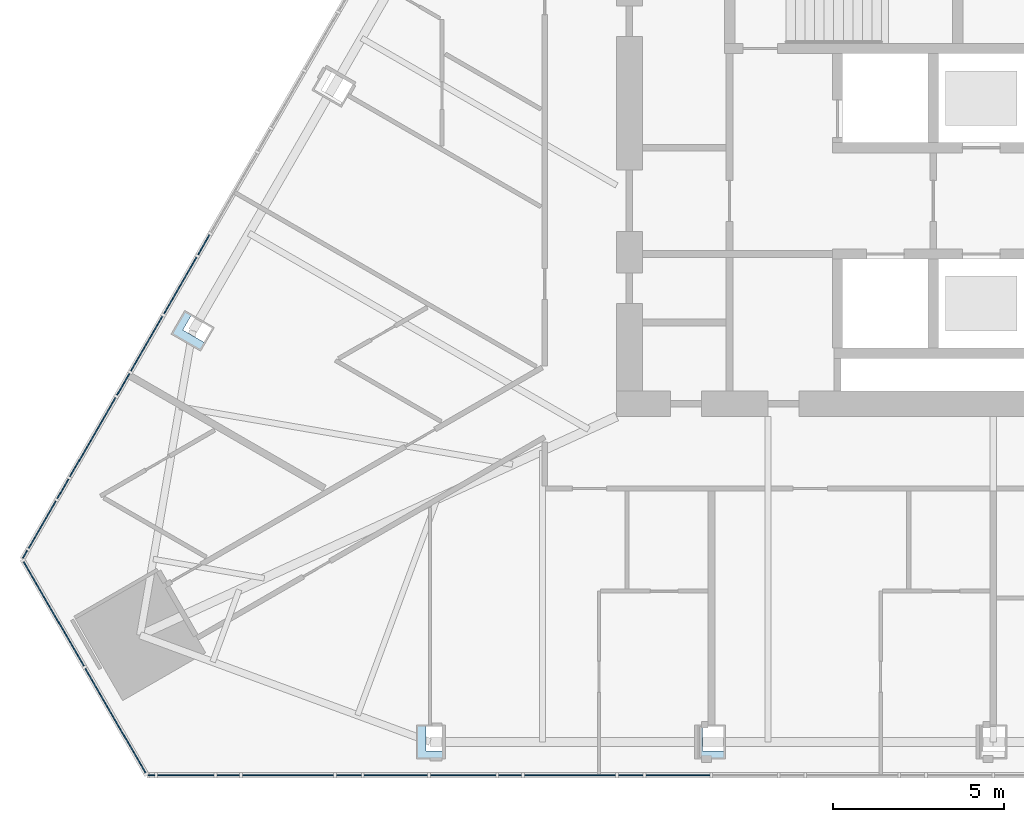
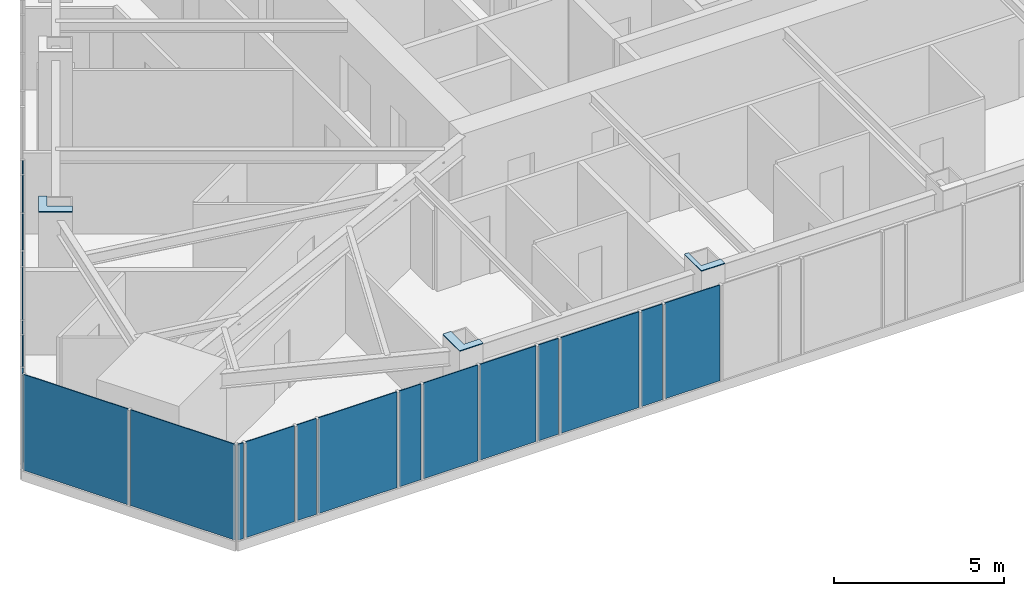
# One storey, part 12 of 24: 24 plates, 3 elements without a shape of their own.
"""IFC4 building model written with IfcOpenShell, lengths in metres."""

import ifcopenshell
import ifcopenshell.guid

model = None  # the IFC model being written
_history = None  # IfcOwnerHistory: only IFC2X3 demands one
_inside = {}  # id of a spatial element -> (the spatial element, [elements in it])
_under = {}  # id of a project, library or spatial element -> (it, [spatial elements below it])
_declared = {}  # id of a project -> (the project, [libraries it declares])
_typed = {}  # id of a type object -> (the type object, [elements of that type])
_made_of = {}  # id of a material, layer set ... -> (it, [elements and type objects made of it])


def new_model(schema):
    """Start an empty IFC model of exactly this schema.

    Asked for "IFC4X3", IfcOpenShell would pick the latest addendum, in which some entities
    have other attributes; the version numbers below select the first issue.
    IFC2X3 requires an IfcOwnerHistory on every rooted entity: one is made here for all.
    """
    global model, _history
    if schema == "IFC4X3":
        model = ifcopenshell.file(schema_version=(4, 3, 0, 0))
    else:
        model = ifcopenshell.file(schema=schema)
    _inside.clear()
    _under.clear()
    _declared.clear()
    _typed.clear()
    _made_of.clear()
    _history = None
    if model.schema == "IFC2X3":
        org = make("IfcOrganization", Name="unknown")
        user = make(
            "IfcPersonAndOrganization",
            ThePerson=make("IfcPerson", FamilyName="unknown"),
            TheOrganization=org,
        )
        app = make(
            "IfcApplication",
            ApplicationDeveloper=org,
            Version="unknown",
            ApplicationFullName="unknown",
            ApplicationIdentifier="unknown",
        )
        _history = make(
            "IfcOwnerHistory",
            OwningUser=user,
            OwningApplication=app,
            ChangeAction="ADDED",
            CreationDate=0,
        )
    return model


def make(cls, **values):
    """One entity of the class cls with the attributes given. An attribute that is None is left unset."""
    return model.create_entity(
        cls, **{name: value for name, value in values.items() if value is not None}
    )


def rooted(cls, **values):
    """An entity with a GlobalId (a new one), such as an element, a storey or a relation."""
    return make(cls, GlobalId=ifcopenshell.guid.new(), OwnerHistory=_history, **values)


def si_unit(unit_type, name, prefix=None):
    """IfcSIUnit, for example si_unit("LENGTHUNIT", "METRE", prefix="MILLI")."""
    return make("IfcSIUnit", UnitType=unit_type, Prefix=prefix, Name=name)


def assignment(units):
    """IfcUnitAssignment: the units of a project."""
    return None if units is None else make("IfcUnitAssignment", Units=units)


def point(xyz):
    """IfcCartesianPoint."""
    return None if xyz is None else make("IfcCartesianPoint", Coordinates=xyz)


def direction(xyz):
    """IfcDirection."""
    return None if xyz is None else make("IfcDirection", DirectionRatios=xyz)


def frame(location, z_axis=None, x_axis=None):
    """IfcAxis2Placement3D, a coordinate frame: its origin and axes. An axis left out is left unset."""
    return make(
        "IfcAxis2Placement3D",
        Location=point(location),
        Axis=direction(z_axis),
        RefDirection=direction(x_axis),
    )


def origin():
    """The frame at (0, 0, 0) with its axes left unset."""
    return frame((0.0, 0.0, 0.0))


def place(relative_to, where):
    """IfcLocalPlacement: puts the frame where relative to a parent placement (None: the world)."""
    return make(
        "IfcLocalPlacement", PlacementRelTo=relative_to, RelativePlacement=where
    )


def context(
    kind, dimensions, precision=None, world=None, true_north=None, identifier=None
):
    """IfcGeometricRepresentationContext, for example the 3D "Model" context."""
    return make(
        "IfcGeometricRepresentationContext",
        ContextIdentifier=identifier,
        ContextType=kind,
        CoordinateSpaceDimension=dimensions,
        Precision=precision,
        WorldCoordinateSystem=world,
        TrueNorth=true_north,
    )


def subcontext(parent, identifier, kind, view, scale=None):
    """IfcGeometricRepresentationSubContext, for example "Body" below "Model"."""
    return make(
        "IfcGeometricRepresentationSubContext",
        ContextIdentifier=identifier,
        ContextType=kind,
        ParentContext=parent,
        TargetScale=scale,
        TargetView=view,
    )


def project(units=None, contexts=None):
    """IfcProject with its units and contexts."""
    return rooted(
        "IfcProject",
        Name="project",
        RepresentationContexts=contexts,
        UnitsInContext=assignment(units),
    )


def spatial(cls, under=None, at=None, **own):
    """A site, building, storey or space (cls), placed at a placement, below another one or the project."""
    s = rooted(cls, ObjectPlacement=at, **own)
    if under is not None:
        _under.setdefault(under.id(), (under, []))[1].append(s)
    return s


def polyline(points):
    """IfcPolyline through the points."""
    return make("IfcPolyline", Points=[point(p) for p in points])


def outline(outer, holes=None, kind="AREA"):
    """IfcArbitraryClosedProfileDef: a profile drawn as a closed curve; with holes, ...WithVoids."""
    if holes is None:
        return make("IfcArbitraryClosedProfileDef", ProfileType=kind, OuterCurve=outer)
    return make(
        "IfcArbitraryProfileDefWithVoids",
        ProfileType=kind,
        OuterCurve=outer,
        InnerCurves=holes,
    )


def extrude(swept, where, along, depth):
    """IfcExtrudedAreaSolid: the profile swept, set in the frame where, extruded along a direction by depth."""
    return make(
        "IfcExtrudedAreaSolid",
        SweptArea=swept,
        Position=where,
        ExtrudedDirection=direction(along),
        Depth=depth,
    )


def shape(context_of_items, identifier, shape_type, items):
    """IfcShapeRepresentation: the items that make up one representation, for example the "Body"."""
    return make(
        "IfcShapeRepresentation",
        ContextOfItems=context_of_items,
        RepresentationIdentifier=identifier,
        RepresentationType=shape_type,
        Items=items,
    )


def material(Name=None, Category=None):
    """IfcMaterial."""
    return make("IfcMaterial", Name=Name, Category=Category)


def layer(
    of_material, thickness, ventilated=None, Name=None, Category=None, Priority=None
):
    """IfcMaterialLayer: one layer of a wall or slab, of a material (None: an air gap)."""
    return make(
        "IfcMaterialLayer",
        Material=of_material,
        LayerThickness=thickness,
        IsVentilated=ventilated,
        Name=Name,
        Category=Category,
        Priority=Priority,
    )


def layer_set(layers, Name=None):
    """IfcMaterialLayerSet."""
    return make("IfcMaterialLayerSet", MaterialLayers=layers, LayerSetName=Name)


def made_of(thing, what):
    """Note that an element or type object is made of a material, layer set ...; save() writes the relation."""
    if what is not None:
        _made_of.setdefault(what.id(), (what, []))[1].append(thing)
    return thing


def type_object(cls, material=None, **own):
    """A type object (cls), such as IfcWallType, which elements share."""
    return made_of(rooted(cls, **own), material)


def element(
    cls,
    number,
    at=None,
    inside=None,
    cuts=None,
    type_object=None,
    material=None,
    context=None,
    identifier="Body",
    shape_type=None,
    held_by="IfcProductDefinitionShape",
    body=None,
    shapes=None,
    **own,
):
    """One element of the class cls, such as IfcWall. Its Tag is "e" and its number.

    at: its placement. inside: the storey or other place that contains it. cuts: it is an
    opening in that element (IfcRelVoidsElement). A single representation is given by context,
    identifier, shape_type and body (its items); several are given by shapes. held_by: the class
    of the entity that holds the representations. save() writes the other relations.
    """
    e = rooted(cls, Tag="e%d" % number, ObjectPlacement=at, **own)
    if body is not None:
        shapes = [shape(context, identifier, shape_type, body)]
    if shapes is not None:
        e.Representation = make(held_by, Representations=shapes)
    if inside is not None:
        _inside.setdefault(inside.id(), (inside, []))[1].append(e)
    if cuts is not None:
        rooted(
            "IfcRelVoidsElement", RelatingBuildingElement=cuts, RelatedOpeningElement=e
        )
    if type_object is not None:
        _typed.setdefault(type_object.id(), (type_object, []))[1].append(e)
    return made_of(e, material)


def aggregate(whole, parts):
    """IfcRelAggregates: a whole, such as a stair, and the parts it consists of."""
    return rooted("IfcRelAggregates", RelatingObject=whole, RelatedObjects=parts)


def save(model, path):
    """Write the relations noted so far, then the file.

    IfcRelAggregates (storeys below a building ...), IfcRelContainedInSpatialStructure (elements
    in a storey), IfcRelDefinesByType, IfcRelAssociatesMaterial and IfcRelDeclares: one each for
    every whole, place, type object, material and project.
    """
    for whole, parts in _under.values():
        aggregate(whole, parts)
    for where, things in _inside.values():
        rooted(
            "IfcRelContainedInSpatialStructure",
            RelatedElements=things,
            RelatingStructure=where,
        )
    for kind, things in _typed.values():
        rooted("IfcRelDefinesByType", RelatedObjects=things, RelatingType=kind)
    for what, things in _made_of.values():
        rooted("IfcRelAssociatesMaterial", RelatedObjects=things, RelatingMaterial=what)
    for by, libraries in _declared.values():
        rooted("IfcRelDeclares", RelatingContext=by, RelatedDefinitions=libraries)
    model.write(path)


model = new_model("IFC4")

# Units and contexts
model_context = context("Model", 3, precision=1e-05, world=origin(), true_north=direction((0.0, 1.0)))
body_context = subcontext(model_context, "Body", "Model", "MODEL_VIEW")
ifc_project = project(units=[si_unit("LENGTHUNIT", "METRE"), si_unit("AREAUNIT", "SQUARE_METRE"), si_unit("VOLUMEUNIT", "CUBIC_METRE"), si_unit("PLANEANGLEUNIT", "RADIAN"), si_unit("MASSUNIT", "GRAM", prefix="KILO")], contexts=[model_context])

# Site, building, storey
site_placement = place(None, origin())
site = spatial("IfcSite", under=ifc_project, at=site_placement, CompositionType="ELEMENT")
building_placement = place(site_placement, origin())
building = spatial("IfcBuilding", under=site, at=building_placement, Name="Firuza Gate Tower and Library", CompositionType="ELEMENT")
storey_placement = place(building_placement, frame((0.0, 0.0, 237.699951171875)))
storey = spatial("IfcBuildingStorey", under=building, at=storey_placement, Name="L56", CompositionType="ELEMENT", Elevation=237.699951171875)

# Plates
ifc_material_1 = material(Name="Steel S355", Category="steel")
ifc_layer_1 = layer(ifc_material_1, 0.030029296875)
ifc_layer_set_1 = layer_set([ifc_layer_1], Name="Column infill plate 30 Steel S355")
plate_type_1 = type_object("IfcPlateType", Name="Column infill plate 30 Steel S355", PredefinedType="SHEET", material=ifc_layer_set_1)
placement_1 = place(storey_placement, frame((0.0, 0.0, 3.900146484375)))
element("IfcPlate", 1, at=placement_1, inside=storey, type_object=plate_type_1, Name="Infill plate L56:S1", PredefinedType="SHEET", context=body_context, shape_type="SweptSolid", body=[
    extrude(outline(polyline([(58.948974609375, 56.99609375), (58.948974609375, 57.235107421875), (58.425048828125, 57.235107421875), (58.425048828125, 57.99609375), (58.14892578125, 57.99609375), (58.14892578125, 56.99609375), (58.948974609375, 56.99609375)])), origin(), (0.0, 0.0, 1.0), 0.02978515625),
])
element("IfcPlate", 2, at=placement_1, inside=storey, type_object=plate_type_1, Name="Infill plate L56:S2", PredefinedType="SHEET", context=body_context, shape_type="SweptSolid", body=[
    extrude(outline(polyline([(67.174560546875, 56.99609375), (67.174560546875, 57.235107421875), (66.512451171875, 57.235107421875), (66.512451171875, 57.99609375), (66.37451171875, 57.99609375), (66.37451171875, 56.99609375), (67.174560546875, 56.99609375)])), origin(), (0.0, 0.0, 1.0), 0.02978515625),
])
element("IfcPlate", 3, at=placement_1, inside=storey, type_object=plate_type_1, Name="Infill plate L56:W5", PredefinedType="SHEET", context=body_context, shape_type="SweptSolid", body=[
    extrude(outline(polyline([(51.8486328125, 68.908447265625), (51.986572265625, 69.147705078125), (51.32763671875, 69.528076171875), (51.589599609375, 69.981689453125), (51.382568359375, 70.101318359375), (50.982666015625, 69.408447265625), (51.8486328125, 68.908447265625)])), origin(), (0.0, 0.0, 1.0), 0.02978515625),
])

# Curtain wall, plates
ifc_material_2 = material(Name="Aluminium 6063-T6", Category="aluminium")
ifc_layer_2 = layer(ifc_material_2, 0.14990234375)
ifc_layer_set_2 = layer_set([ifc_layer_2], Name="Corner curtain wall, chamfers")
curtain_wall_type_1 = type_object("IfcCurtainWallType", Name="Corner curtain wall, chamfers", PredefinedType="NOTDEFINED", material=ifc_layer_set_2)
placement_2 = place(storey_placement, origin())
curtain_wall_1 = element("IfcCurtainWall", 4, at=placement_2, inside=storey, type_object=curtain_wall_type_1, Name="CW4 L56 SW corner", PredefinedType="NOTDEFINED")
ifc_material_3 = material(Name="Fritted glass", Category="glass")
ifc_layer_3 = layer(ifc_material_3, 0.030029296875)
ifc_layer_set_3 = layer_set([ifc_layer_3], Name="Fritted glass unit, corners")
plate_type_2 = type_object("IfcPlateType", Name="Fritted glass unit, corners", PredefinedType="CURTAIN_PANEL", material=ifc_layer_set_3)
plate_4_placement = place(storey_placement, frame((46.643798828125, 62.789306640625, 0.150146484375), z_axis=(-0.866016723041, -0.500015035186, 0.0), x_axis=(0.500015035186, -0.866016723041, 0.0)))
plate_4 = element("IfcPlate", 5, at=plate_4_placement, type_object=plate_type_2, Name="Glass unit", PredefinedType="CURTAIN_PANEL", context=body_context, shape_type="SweptSolid", body=[
    extrude(outline(polyline([(0.0, 0.0), (3.5633694106530625, 0.0), (3.5633694106530625, 3.449951171875), (0.0, 3.449951171875), (0.0, 0.0)])), origin(), (0.0, 0.0, -1.0), 0.030029296875),
])
plate_5_placement = place(storey_placement, frame((48.46533203125, 59.634033203125, 0.150146484375), z_axis=(-0.866016723041, -0.500015035186, 0.0), x_axis=(0.500015035186, -0.866016723041, 0.0)))
plate_5 = element("IfcPlate", 6, at=plate_5_placement, type_object=plate_type_2, Name="Glass unit", PredefinedType="CURTAIN_PANEL", context=body_context, shape_type="SweptSolid", body=[
    extrude(outline(polyline([(0.0, 0.0), (3.5633694106530625, 0.0), (3.5633694106530625, 3.449951171875), (0.0, 3.449951171875), (0.0, 0.0)])), origin(), (0.0, 0.0, -1.0), 0.030029296875),
])
aggregate(curtain_wall_1, [plate_4, plate_5])

ifc_material_4 = material(Name="Aluminium 6063-T6", Category="aluminium")
ifc_layer_4 = layer(ifc_material_4, 0.14990234375)
ifc_layer_set_4 = layer_set([ifc_layer_4], Name="Unitised curtain wall, hotel")
curtain_wall_type_2 = type_object("IfcCurtainWallType", Name="Unitised curtain wall, hotel", PredefinedType="NOTDEFINED", material=ifc_layer_set_4)
curtain_wall_2 = element("IfcCurtainWall", 7, at=placement_2, inside=storey, type_object=curtain_wall_type_2, Name="CW2 L56 S face", PredefinedType="NOTDEFINED")
ifc_material_5 = material(Name="Fritted glass", Category="glass")
ifc_layer_5 = layer(ifc_material_5, 0.030029296875)
ifc_layer_set_5 = layer_set([ifc_layer_5], Name="Fritted glass unit, hotel")
plate_type_3 = type_object("IfcPlateType", Name="Fritted glass unit, hotel", PredefinedType="CURTAIN_PANEL", material=ifc_layer_set_5)
plate_6_placement = place(storey_placement, frame((50.586181640625, 56.506103515625, 0.150146484375), z_axis=(0.0, -1.0, 0.0), x_axis=(1.0, 0.0, 0.0)))
plate_6 = element("IfcPlate", 8, at=plate_6_placement, type_object=plate_type_3, Name="Glass unit", PredefinedType="CURTAIN_PANEL", context=body_context, shape_type="SweptSolid", body=[
    extrude(outline(polyline([(0.0, 0.0), (1.65869140625, 0.0), (1.65869140625, 3.449951171875), (0.0, 3.449951171875), (0.0, 0.0)])), origin(), (0.0, 0.0, -1.0), 0.030029296875),
])
plate_7_placement = place(storey_placement, frame((56.62744140625, 56.506103515625, 0.150146484375), z_axis=(0.0, -1.0, 0.0), x_axis=(1.0, 0.0, 0.0)))
plate_7 = element("IfcPlate", 9, at=plate_7_placement, type_object=plate_type_3, Name="Glass unit", PredefinedType="CURTAIN_PANEL", context=body_context, shape_type="SweptSolid", body=[
    extrude(outline(polyline([(0.0, 0.0), (1.8525390625, 0.0), (1.8525390625, 3.449951171875), (0.0, 3.449951171875), (0.0, 0.0)])), origin(), (0.0, 0.0, -1.0), 0.030029296875),
])
plate_8_placement = place(storey_placement, frame((58.56005859375, 56.506103515625, 0.150146484375), z_axis=(0.0, -1.0, 0.0), x_axis=(1.0, 0.0, 0.0)))
plate_8 = element("IfcPlate", 10, at=plate_8_placement, type_object=plate_type_3, Name="Glass unit", PredefinedType="CURTAIN_PANEL", context=body_context, shape_type="SweptSolid", body=[
    extrude(outline(polyline([(0.0, 0.0), (1.910400390625, 0.0), (1.910400390625, 3.449951171875), (0.0, 3.449951171875), (0.0, 0.0)])), origin(), (0.0, 0.0, -1.0), 0.030029296875),
])
plate_9_placement = place(storey_placement, frame((64.852783203125, 56.506103515625, 0.150146484375), z_axis=(0.0, -1.0, 0.0), x_axis=(1.0, 0.0, 0.0)))
plate_9 = element("IfcPlate", 11, at=plate_9_placement, type_object=plate_type_3, Name="Glass unit", PredefinedType="CURTAIN_PANEL", context=body_context, shape_type="SweptSolid", body=[
    extrude(outline(polyline([(0.0, 0.0), (1.8671875, 0.0), (1.8671875, 3.449951171875), (0.0, 3.449951171875), (0.0, 0.0)])), origin(), (0.0, 0.0, -1.0), 0.030029296875),
])

curtain_wall_3 = element("IfcCurtainWall", 12, at=placement_2, inside=storey, type_object=curtain_wall_type_2, Name="CW2 L56 W face", PredefinedType="NOTDEFINED")
plate_10_placement = place(storey_placement, frame((51.718994140625, 71.6640625, 0.150146484375), z_axis=(-0.866008956876, 0.500028485799, 0.0), x_axis=(-0.500028485799, -0.866008956876, 0.0)))
plate_10 = element("IfcPlate", 13, at=plate_10_placement, type_object=plate_type_3, Name="Glass unit", PredefinedType="CURTAIN_PANEL", context=body_context, shape_type="SweptSolid", body=[
    extrude(outline(polyline([(0.0, 0.0), (1.9105356849806, 0.0), (1.9105356849806, 3.449951171875001), (0.0, 3.449951171875001), (0.0, 0.0)])), origin(), (0.0, 0.0, -1.0), 0.030029296875),
])
plate_11_placement = place(storey_placement, frame((50.723876953125, 69.940185546875, 0.150146484375), z_axis=(-0.865988083811, 0.50006463452, 0.0), x_axis=(-0.50006463452, -0.865988083811, 0.0)))
plate_11 = element("IfcPlate", 14, at=plate_11_placement, type_object=plate_type_3, Name="Glass unit", PredefinedType="CURTAIN_PANEL", context=body_context, shape_type="SweptSolid", body=[
    extrude(outline(polyline([(0.0, 0.0), (1.8527878356465508, 0.0), (1.8527878356465508, 3.449951171875), (0.0, 3.449951171875), (0.0, 0.0)])), origin(), (0.0, 0.0, -1.0), 0.030029296875),
])
plate_12_placement = place(storey_placement, frame((47.606201171875, 64.54052734375, 0.150146484375), z_axis=(-0.866009553984, 0.500027451655, 0.0), x_axis=(-0.500027451655, -0.866009553984, 0.0)))
plate_12 = element("IfcPlate", 15, at=plate_12_placement, type_object=plate_type_3, Name="Glass unit", PredefinedType="CURTAIN_PANEL", context=body_context, shape_type="SweptSolid", body=[
    extrude(outline(polyline([(0.0, 0.0), (1.593662502654529, 0.0), (1.593662502654529, 3.449951171875), (0.0, 3.449951171875), (0.0, 0.0)])), origin(), (0.0, 0.0, -1.0), 0.030029296875),
])

# Plate
ifc_material_6 = material(Name="Glazed ceramic tile")
ifc_layer_6 = layer(ifc_material_6, 0.030029296875)
ifc_layer_set_6 = layer_set([ifc_layer_6], Name="Opaque ceramic panel, hotel")
plate_type_4 = type_object("IfcPlateType", Name="Opaque ceramic panel, hotel", PredefinedType="CURTAIN_PANEL", material=ifc_layer_set_6)
plate_13_placement = place(storey_placement, frame((50.320068359375, 56.506103515625, 0.150146484375), z_axis=(0.0, -1.0, 0.0), x_axis=(1.0, 0.0, 0.0)))
plate_13 = element("IfcPlate", 16, at=plate_13_placement, type_object=plate_type_4, Name="Opaque ceramic panel", PredefinedType="CURTAIN_PANEL", context=body_context, shape_type="SweptSolid", body=[
    extrude(outline(polyline([(0.0, 0.0), (0.18603515625, 0.0), (0.18603515625, 3.449951171875), (0.0, 3.449951171875), (0.0, 0.0)])), origin(), (0.0, 0.0, -1.0), 0.030029296875),
])

plate_14_placement = place(storey_placement, frame((52.324951171875, 56.506103515625, 0.150146484375), z_axis=(0.0, -1.0, 0.0), x_axis=(1.0, 0.0, 0.0)))
plate_14 = element("IfcPlate", 17, at=plate_14_placement, type_object=plate_type_4, Name="Opaque ceramic panel", PredefinedType="CURTAIN_PANEL", context=body_context, shape_type="SweptSolid", body=[
    extrude(outline(polyline([(0.0, 0.0), (0.661865234375, 0.0), (0.661865234375, 3.449951171875), (0.0, 3.449951171875), (0.0, 0.0)])), origin(), (0.0, 0.0, -1.0), 0.030029296875),
])

plate_15_placement = place(storey_placement, frame((53.066650390625, 56.506103515625, 0.150146484375), z_axis=(0.0, -1.0, 0.0), x_axis=(1.0, 0.0, 0.0)))
plate_15 = element("IfcPlate", 18, at=plate_15_placement, type_object=plate_type_4, Name="Opaque ceramic panel", PredefinedType="CURTAIN_PANEL", context=body_context, shape_type="SweptSolid", body=[
    extrude(outline(polyline([(0.0, 0.0), (2.666748046875, 0.0), (2.666748046875, 3.449951171875), (0.0, 3.449951171875), (0.0, 0.0)])), origin(), (0.0, 0.0, -1.0), 0.030029296875),
])

plate_16_placement = place(storey_placement, frame((55.8134765625, 56.506103515625, 0.150146484375), z_axis=(0.0, -1.0, 0.0), x_axis=(1.0, 0.0, 0.0)))
plate_16 = element("IfcPlate", 19, at=plate_16_placement, type_object=plate_type_4, Name="Opaque ceramic panel", PredefinedType="CURTAIN_PANEL", context=body_context, shape_type="SweptSolid", body=[
    extrude(outline(polyline([(0.0, 0.0), (0.73388671875, 0.0), (0.73388671875, 3.449951171875), (0.0, 3.449951171875), (0.0, 0.0)])), origin(), (0.0, 0.0, -1.0), 0.030029296875),
])

plate_17_placement = place(storey_placement, frame((60.550537109375, 56.506103515625, 0.150146484375), z_axis=(0.0, -1.0, 0.0), x_axis=(1.0, 0.0, 0.0)))
plate_17 = element("IfcPlate", 20, at=plate_17_placement, type_object=plate_type_4, Name="Opaque ceramic panel", PredefinedType="CURTAIN_PANEL", context=body_context, shape_type="SweptSolid", body=[
    extrude(outline(polyline([(0.0, 0.0), (0.67626953125, 0.0), (0.67626953125, 3.449951171875), (0.0, 3.449951171875), (0.0, 0.0)])), origin(), (0.0, 0.0, -1.0), 0.030029296875),
])

plate_18_placement = place(storey_placement, frame((61.306640625, 56.506103515625, 0.150146484375), z_axis=(0.0, -1.0, 0.0), x_axis=(1.0, 0.0, 0.0)))
plate_18 = element("IfcPlate", 21, at=plate_18_placement, type_object=plate_type_4, Name="Opaque ceramic panel", PredefinedType="CURTAIN_PANEL", context=body_context, shape_type="SweptSolid", body=[
    extrude(outline(polyline([(0.0, 0.0), (2.666748046875, 0.0), (2.666748046875, 3.449951171875), (0.0, 3.449951171875), (0.0, 0.0)])), origin(), (0.0, 0.0, -1.0), 0.030029296875),
])

plate_19_placement = place(storey_placement, frame((64.053466796875, 56.506103515625, 0.150146484375), z_axis=(0.0, -1.0, 0.0), x_axis=(1.0, 0.0, 0.0)))
plate_19 = element("IfcPlate", 22, at=plate_19_placement, type_object=plate_type_4, Name="Opaque ceramic panel", PredefinedType="CURTAIN_PANEL", context=body_context, shape_type="SweptSolid", body=[
    extrude(outline(polyline([(0.0, 0.0), (0.719482421875, 0.0), (0.719482421875, 3.449951171875), (0.0, 3.449951171875), (0.0, 0.0)])), origin(), (0.0, 0.0, -1.0), 0.030029296875),
])

aggregate(curtain_wall_2, [plate_13, plate_6, plate_14, plate_15, plate_16, plate_7, plate_8, plate_17, plate_18, plate_19, plate_9])

plate_20_placement = place(storey_placement, frame((52.09716796875, 72.31884765625, 0.150146484375), z_axis=(-0.865945012053, 0.500139216719, 0.0), x_axis=(-0.500139216719, -0.865945012053, 0.0)))
plate_20 = element("IfcPlate", 23, at=plate_20_placement, type_object=plate_type_4, Name="Opaque ceramic panel", PredefinedType="CURTAIN_PANEL", context=body_context, shape_type="SweptSolid", body=[
    extrude(outline(polyline([(0.0, 0.0), (0.6760812876121177, 0.0), (0.6760812876121177, 3.449951171875), (0.0, 3.449951171875), (0.0, 0.0)])), origin(), (0.0, 0.0, -1.0), 0.030029296875),
])

plate_21_placement = place(storey_placement, frame((49.75732421875, 68.2666015625, 0.150146484375), z_axis=(-0.866085900082, 0.499895202697, 0.0), x_axis=(-0.499895202697, -0.866085900082, 0.0)))
plate_21 = element("IfcPlate", 24, at=plate_21_placement, type_object=plate_type_4, Name="Opaque ceramic panel", PredefinedType="CURTAIN_PANEL", context=body_context, shape_type="SweptSolid", body=[
    extrude(outline(polyline([(0.0, 0.0), (0.7340405696940024, 0.0), (0.7340405696940024, 3.449951171875001), (0.0, 3.449951171875001), (0.0, 0.0)])), origin(), (0.0, 0.0, -1.0), 0.030029296875),
])

plate_22_placement = place(storey_placement, frame((49.350341796875, 67.5615234375, 0.150146484375), z_axis=(-0.866031596129, 0.499989274391, 0.0), x_axis=(-0.499989274391, -0.866031596129, 0.0)))
plate_22 = element("IfcPlate", 25, at=plate_22_placement, type_object=plate_type_4, Name="Opaque ceramic panel", PredefinedType="CURTAIN_PANEL", context=body_context, shape_type="SweptSolid", body=[
    extrude(outline(polyline([(0.0, 0.0), (2.6665611072350224, 0.0), (2.6665611072350224, 3.449951171875), (0.0, 3.449951171875), (0.0, 0.0)])), origin(), (0.0, 0.0, -1.0), 0.030029296875),
])

plate_23_placement = place(storey_placement, frame((47.97705078125, 65.182861328125, 0.150146484375), z_axis=(-0.866031967744, 0.499988630717, 0.0), x_axis=(-0.499988630717, -0.866031967744, 0.0)))
plate_23 = element("IfcPlate", 26, at=plate_23_placement, type_object=plate_type_4, Name="Opaque ceramic panel", PredefinedType="CURTAIN_PANEL", context=body_context, shape_type="SweptSolid", body=[
    extrude(outline(polyline([(0.0, 0.0), (0.6616361384071319, 0.0), (0.6616361384071319, 3.449951171875001), (0.0, 3.449951171875001), (0.0, 0.0)])), origin(), (0.0, 0.0, -1.0), 0.030029296875),
])

plate_24_placement = place(storey_placement, frame((46.769287109375, 63.091064453125, 0.150146484375), z_axis=(-0.866201770413, 0.499694399542, 0.0), x_axis=(-0.499694399542, -0.866201770413, 0.0)))
plate_24 = element("IfcPlate", 27, at=plate_24_placement, type_object=plate_type_4, Name="Opaque ceramic panel", PredefinedType="CURTAIN_PANEL", context=body_context, shape_type="SweptSolid", body=[
    extrude(outline(polyline([(0.0, 0.0), (0.25113005341856437, 0.0), (0.25113005341856437, 3.449951171875), (0.0, 3.449951171875), (0.0, 0.0)])), origin(), (0.0, 0.0, -1.0), 0.030029296875),
])

aggregate(curtain_wall_3, [plate_20, plate_10, plate_11, plate_21, plate_22, plate_23, plate_12, plate_24])

save(model, "model.ifc")
